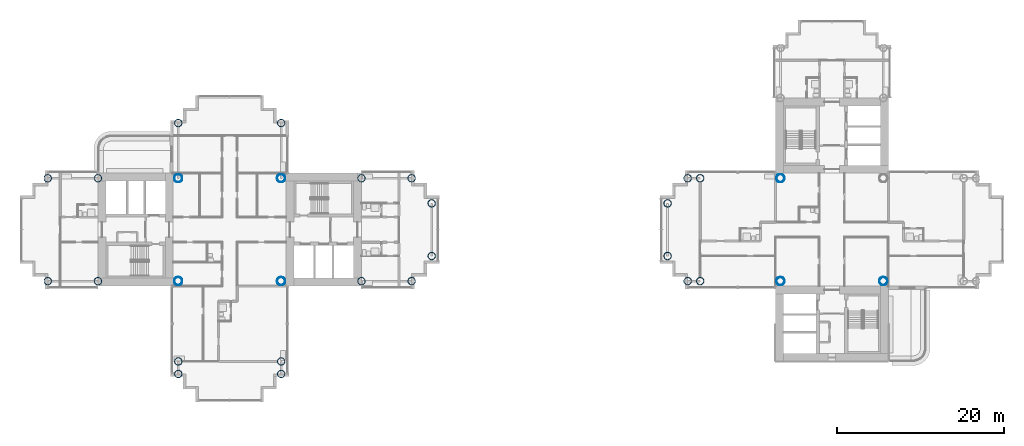
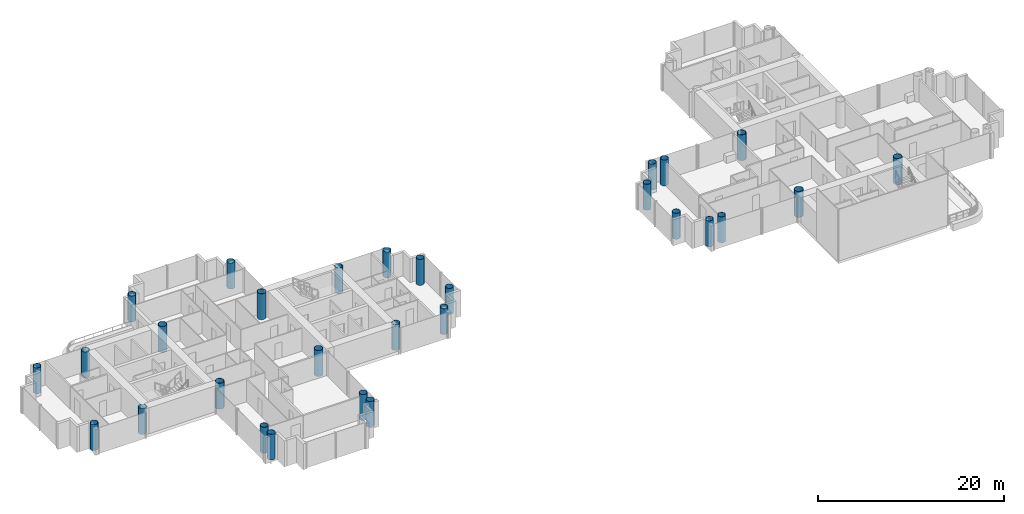
# One storey, part 1 of 21: 29 columns.
"""IFC4 building model written with IfcOpenShell, lengths in metres."""

from ifc_helpers import new_model, si_unit, direction, frame, origin, origin_2d, place, context, subcontext, project, spatial, hollow_circle, extrude, material, material_profile, profile_set, type_object, element, save


model = new_model("IFC4")

# Units and contexts
model_context = context("Model", 3, precision=1e-05, world=origin(), true_north=direction((0.0, 1.0)))
body_context = subcontext(model_context, "Body", "Model", "MODEL_VIEW")
ifc_project = project(units=[si_unit("LENGTHUNIT", "METRE"), si_unit("AREAUNIT", "SQUARE_METRE"), si_unit("VOLUMEUNIT", "CUBIC_METRE"), si_unit("PLANEANGLEUNIT", "RADIAN"), si_unit("MASSUNIT", "GRAM", prefix="KILO")], contexts=[model_context])

# Site, building, storey
site_placement = place(None, origin())
site = spatial("IfcSite", under=ifc_project, at=site_placement, CompositionType="ELEMENT")
building_placement = place(site_placement, origin())
building = spatial("IfcBuilding", under=site, at=building_placement, Name="Ipe Terrace Towers", CompositionType="ELEMENT")
storey_placement = place(building_placement, frame((0.0, 0.0, 117.39990234375)))
storey = spatial("IfcBuildingStorey", under=building, at=storey_placement, Name="L32", CompositionType="ELEMENT", Elevation=117.39990234375)

# Columns
ifc_material_1 = material(Name="Steel S355 tube with Concrete C60/75 fill", Category="concrete")
ifc_material_profile_1 = material_profile(ifc_material_1, hollow_circle(Radius=0.5, WallThickness=0.035888671875, at=origin_2d()), Name="CHS-1000x36")
ifc_profile_set_1 = profile_set([ifc_material_profile_1], Name="Steel S355 tube with Concrete C60/75 fill")
column_type_1 = type_object("IfcColumnType", Name="CH01 COLUMN CHS-1000x36", PredefinedType="COLUMN", material=ifc_profile_set_1)
for number, where, z_axis, x_axis, name in (
    (1, (-42.14990234375, -6.14990234375, 0.0), (0.0, 0.0, 1.0), (1.0, 0.0, 0.0), "Column T1-C-E01"),
    (2, (-29.85009765625, -6.14990234375, 0.0), (0.0, 0.0, 1.0), (1.0, 0.0, 0.0), "Column T1-C-E02"),
    (3, (-29.85009765625, 6.14990234375, 0.0), (0.0, 0.0, 1.0), (1.0, 0.0, 0.0), "Column T1-C-E03"),
    (4, (-42.14990234375, 6.14990234375, 0.0), (0.0, 0.0, 1.0), (1.0, 0.0, 0.0), "Column T1-C-E04"),
    (5, (42.14990234375, -6.14990234375, 0.0), (0.0, 0.0, 1.0), (1.0, 0.0, 0.0), "Column T2-C-E01"),
    (6, (29.85009765625, 6.14990234375, 0.0), (0.0, 0.0, 1.0), (1.0, 0.0, 0.0), "Column T2-C-E03"),
    (7, (29.85009765625, -6.14990234375, 0.0), (0.0, 0.0, 1.0), (1.0, 0.0, 0.0), "Column T2-C-E04"),
):
    element("IfcColumn", number, at=place(storey_placement, frame(where, z_axis=z_axis, x_axis=x_axis)), inside=storey, type_object=column_type_1, Name=name, PredefinedType="COLUMN", context=body_context, shape_type="SweptSolid", body=[
        extrude(hollow_circle(Radius=0.5, WallThickness=0.035888671875, at=origin_2d()), origin(), (0.0, 0.0, 1.0), 3.400146484375),
    ])
ifc_material_2 = material(Name="Steel S355 tube with Concrete C60/75 fill", Category="concrete")
ifc_material_profile_2 = material_profile(ifc_material_2, hollow_circle(Radius=0.449951171875, WallThickness=0.031982421875, at=origin_2d()), Name="CHS-900x32")
ifc_profile_set_2 = profile_set([ifc_material_profile_2], Name="Steel S355 tube with Concrete C60/75 fill")
column_type_2 = type_object("IfcColumnType", Name="CH10 COLUMN CHS-900x32", PredefinedType="COLUMN", material=ifc_profile_set_2)
for number, where, z_axis, x_axis, name in (
    (8, (-20.25, -6.14990234375, 0.0), (0.0, 0.0, 1.0), (1.0, 0.0, 0.0), "Column T1-C-A01"),
    (9, (-20.25, 6.14990234375, 0.0), (0.0, 0.0, 1.0), (1.0, 0.0, 0.0), "Column T1-C-A02"),
    (10, (-14.25, -6.14990234375, 0.0), (0.0, 0.0, 1.0), (1.0, 0.0, 0.0), "Column T1-C-A03"),
    (11, (-14.25, 6.14990234375, 0.0), (0.0, 0.0, 1.0), (1.0, 0.0, 0.0), "Column T1-C-A04"),
    (12, (-11.85009765625, -3.14990234375, 0.0), (0.0, 0.0, 1.0), (1.0, 0.0, 0.0), "Column T1-C-A05"),
    (13, (-11.85009765625, 3.14990234375, 0.0), (0.0, 0.0, 1.0), (1.0, 0.0, 0.0), "Column T1-C-A06"),
    (14, (-29.85009765625, 12.75, 0.0), (0.0, 0.0, 1.0), (1.0, 0.0, 0.0), "Column T1-C-B01"),
    (15, (-42.14990234375, 12.75, 0.0), (0.0, 0.0, 1.0), (1.0, 0.0, 0.0), "Column T1-C-B02"),
    (16, (-51.75, -6.14990234375, 0.0), (0.0, 0.0, 1.0), (1.0, 0.0, 0.0), "Column T1-C-C01"),
    (17, (-51.75, 6.14990234375, 0.0), (0.0, 0.0, 1.0), (1.0, 0.0, 0.0), "Column T1-C-C02"),
    (18, (-57.75, -6.14990234375, 0.0), (0.0, 0.0, 1.0), (1.0, 0.0, 0.0), "Column T1-C-C03"),
    (19, (-57.75, 6.14990234375, 0.0), (0.0, 0.0, 1.0), (1.0, 0.0, 0.0), "Column T1-C-C04"),
    (20, (-42.14990234375, -15.75, 0.0), (0.0, 0.0, 1.0), (1.0, 0.0, 0.0), "Column T1-C-D03"),
    (21, (-29.85009765625, -15.75, 0.0), (0.0, 0.0, 1.0), (1.0, 0.0, 0.0), "Column T1-C-D04"),
    (22, (-42.14990234375, -17.25, 0.0), (0.0, 0.0, 1.0), (1.0, 0.0, 0.0), "Column T1-C-D05"),
    (23, (-29.85009765625, -17.25, 0.0), (0.0, 0.0, 1.0), (1.0, 0.0, 0.0), "Column T1-C-D06"),
    (24, (20.25, 6.14990234375, 0.0), (0.0, 0.0, 1.0), (1.0, 0.0, 0.0), "Column T2-C-B03"),
    (25, (20.25, -6.14990234375, 0.0), (0.0, 0.0, 1.0), (1.0, 0.0, 0.0), "Column T2-C-B04"),
    (26, (18.75, 6.14990234375, 0.0), (0.0, 0.0, 1.0), (1.0, 0.0, 0.0), "Column T2-C-B05"),
    (27, (18.75, -6.14990234375, 0.0), (0.0, 0.0, 1.0), (1.0, 0.0, 0.0), "Column T2-C-B06"),
    (28, (16.35009765625, 3.14990234375, 0.0), (0.0, 0.0, 1.0), (1.0, 0.0, 0.0), "Column T2-C-B07"),
    (29, (16.35009765625, -3.14990234375, 0.0), (0.0, 0.0, 1.0), (1.0, 0.0, 0.0), "Column T2-C-B08"),
):
    element("IfcColumn", number, at=place(storey_placement, frame(where, z_axis=z_axis, x_axis=x_axis)), inside=storey, type_object=column_type_2, Name=name, PredefinedType="COLUMN", context=body_context, shape_type="SweptSolid", body=[
        extrude(hollow_circle(Radius=0.449951171875, WallThickness=0.031982421875, at=origin_2d()), origin(), (0.0, 0.0, 1.0), 3.400146484375),
    ])

save(model, "model.ifc")
